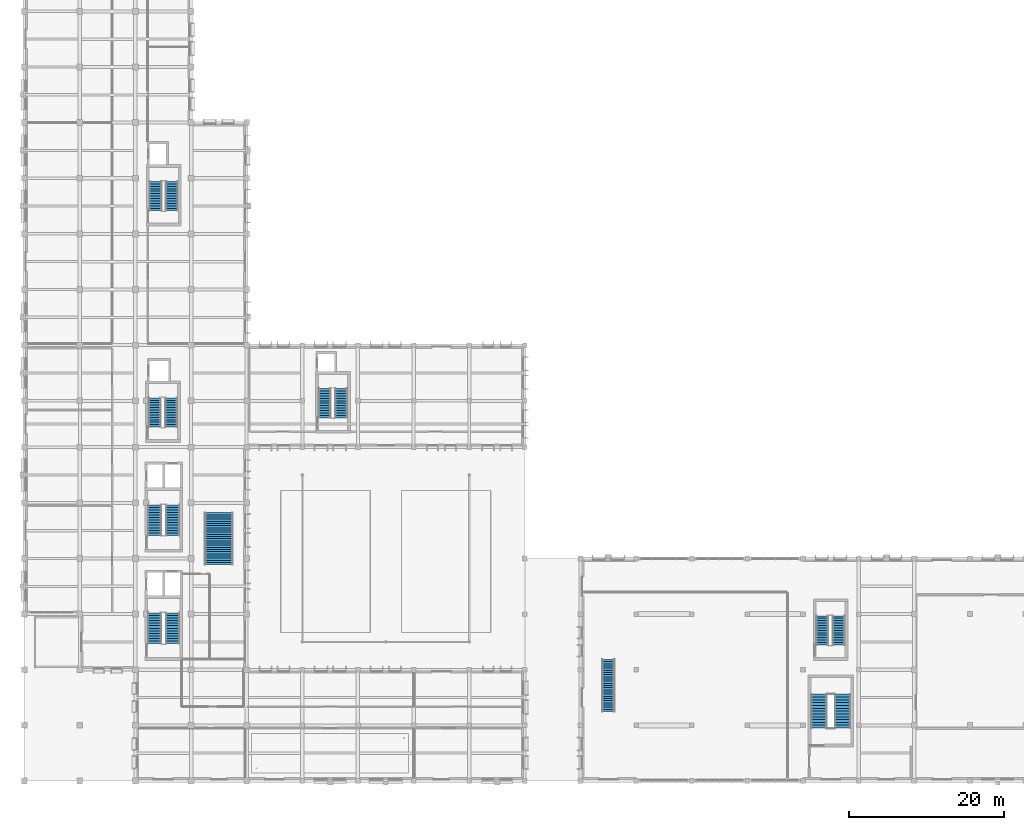
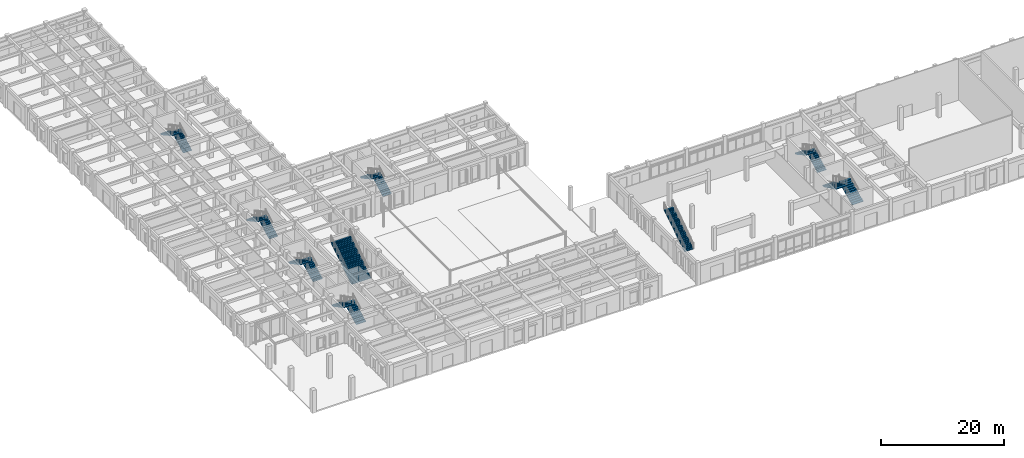
# One storey, part 32 of 43: 16 stair flights, 9 elements without a shape of their own.
"""IFC4 building model written with IfcOpenShell, lengths in metres."""

from ifc_helpers import new_model, si_unit, direction, frame, origin, place, context, subcontext, project, spatial, polyline, outline, extrude, material, type_object, element, aggregate, save


model = new_model("IFC4")

# Units and contexts
model_context = context("Model", 3, precision=1e-05, world=origin(), true_north=direction((0.0, 1.0)))
body_context = subcontext(model_context, "Body", "Model", "MODEL_VIEW")
ifc_project = project(units=[si_unit("LENGTHUNIT", "METRE"), si_unit("AREAUNIT", "SQUARE_METRE"), si_unit("VOLUMEUNIT", "CUBIC_METRE"), si_unit("PLANEANGLEUNIT", "RADIAN"), si_unit("MASSUNIT", "GRAM", prefix="KILO")], contexts=[model_context])

# Site, building, storey
site_placement = place(None, origin())
site = spatial("IfcSite", under=ifc_project, at=site_placement, CompositionType="ELEMENT")
building_placement = place(site_placement, origin())
building = spatial("IfcBuilding", under=site, at=building_placement, Name="Alvorim Cloister Faculty of Sciences", CompositionType="ELEMENT")
storey_placement = place(building_placement, origin())
storey = spatial("IfcBuildingStorey", under=building, at=storey_placement, Name="L00", CompositionType="ELEMENT", Elevation=0.0)

# Stair, stair flight
ifc_material_1 = material(Name="Glulam GL32h", Category="wood")
stair_type_1 = type_object("IfcStairType", Name="STR-MON-ST-07-1700x4500", PredefinedType="STRAIGHT_RUN_STAIR", material=ifc_material_1)
stair_1_placement = place(storey_placement, origin())
stair_1 = element("IfcStair", 1, at=stair_1_placement, inside=storey, type_object=stair_type_1, Name="Atrium Monumental Stair MST-L00-ATR", PredefinedType="STRAIGHT_RUN_STAIR")
stair_flight_type_1 = type_object("IfcStairFlightType", Name="FLT-MON-ST-07-1700x4500", PredefinedType="STRAIGHT", material=ifc_material_1)
stair_flight_1_placement = place(storey_placement, frame((75.60009765625, 9.0, 0.0), z_axis=(0.0, 0.0, 1.0), x_axis=(0.0, 1.0, 0.0)))
stair_flight_1 = element("IfcStairFlight", 2, at=stair_flight_1_placement, type_object=stair_flight_type_1, Name="ST-07 flight 1", NumberOfRisers=25, NumberOfTreads=24, PredefinedType="STRAIGHT", RiserHeight=0.18, TreadLength=0.28, context=body_context, shape_type="SweptSolid", body=[
    extrude(outline(polyline([(0.332763671875, 0.0), (6.719970703125, 4.106201171875), (6.719970703125, 4.5), (6.719970703125, 4.320068359375), (6.43994140625, 4.320068359375), (6.43994140625, 4.139892578125), (6.159912109375, 4.139892578125), (6.159912109375, 3.9599609375), (5.8798828125, 3.9599609375), (5.8798828125, 3.780029296875), (5.60009765625, 3.780029296875), (5.60009765625, 3.60009765625), (5.320068359375, 3.60009765625), (5.320068359375, 3.419921875), (5.0400390625, 3.419921875), (5.0400390625, 3.239990234375), (4.760009765625, 3.239990234375), (4.760009765625, 3.06005859375), (4.47998046875, 3.06005859375), (4.47998046875, 2.8798828125), (4.199951171875, 2.8798828125), (4.199951171875, 2.699951171875), (3.919921875, 2.699951171875), (3.919921875, 2.52001953125), (3.639892578125, 2.52001953125), (3.639892578125, 2.340087890625), (3.360107421875, 2.340087890625), (3.360107421875, 2.159912109375), (3.080078125, 2.159912109375), (3.080078125, 1.97998046875), (2.800048828125, 1.97998046875), (2.800048828125, 1.800048828125), (2.52001953125, 1.800048828125), (2.52001953125, 1.6201171875), (2.239990234375, 1.6201171875), (2.239990234375, 1.43994140625), (1.9599609375, 1.43994140625), (1.9599609375, 1.260009765625), (1.679931640625, 1.260009765625), (1.679931640625, 1.080078125), (1.39990234375, 1.080078125), (1.39990234375, 0.89990234375), (1.1201171875, 0.89990234375), (1.1201171875, 0.719970703125), (0.840087890625, 0.719970703125), (0.840087890625, 0.5400390625), (0.56005859375, 0.5400390625), (0.56005859375, 0.360107421875), (0.280029296875, 0.360107421875), (0.280029296875, 0.179931640625), (0.0, 0.179931640625), (0.0, 0.0), (0.332763671875, 0.0)])), frame((0.0, 0.824951171875, 0.0), z_axis=(0.0, -1.0, 0.0), x_axis=(1.0, 0.0, 0.0)), (0.0, 0.0, 1.0), 1.64990234375),
])
aggregate(stair_1, [stair_flight_1])

stair_type_2 = type_object("IfcStairType", Name="STR-MON-ST-11-1700x4500", PredefinedType="STRAIGHT_RUN_STAIR", material=ifc_material_1)
stair_2_placement = place(storey_placement, origin())
stair_2 = element("IfcStair", 3, at=stair_2_placement, inside=storey, type_object=stair_type_2, Name="Atrium Monumental Stair MST-L00-V5", PredefinedType="STRAIGHT_RUN_STAIR")
stair_flight_type_2 = type_object("IfcStairFlightType", Name="FLT-MON-ST-11-1700x4500", PredefinedType="STRAIGHT", material=ifc_material_1)
stair_flight_2_placement = place(storey_placement, frame((25.199951171875, 28.0, 0.0), z_axis=(0.0, 0.0, 1.0), x_axis=(0.0, 1.0, 0.0)))
stair_flight_2 = element("IfcStairFlight", 4, at=stair_flight_2_placement, type_object=stair_flight_type_2, Name="ST-11 flight 1", NumberOfRisers=25, NumberOfTreads=24, PredefinedType="STRAIGHT", RiserHeight=0.18, TreadLength=0.28, context=body_context, shape_type="SweptSolid", body=[
    extrude(outline(polyline([(0.332763671875, 0.0), (6.719970703125, 4.106201171875), (6.719970703125, 4.5), (6.719970703125, 4.320068359375), (6.43994140625, 4.320068359375), (6.43994140625, 4.139892578125), (6.159912109375, 4.139892578125), (6.159912109375, 3.9599609375), (5.8798828125, 3.9599609375), (5.8798828125, 3.780029296875), (5.60009765625, 3.780029296875), (5.60009765625, 3.60009765625), (5.320068359375, 3.60009765625), (5.320068359375, 3.419921875), (5.0400390625, 3.419921875), (5.0400390625, 3.239990234375), (4.760009765625, 3.239990234375), (4.760009765625, 3.06005859375), (4.47998046875, 3.06005859375), (4.47998046875, 2.8798828125), (4.199951171875, 2.8798828125), (4.199951171875, 2.699951171875), (3.919921875, 2.699951171875), (3.919921875, 2.52001953125), (3.639892578125, 2.52001953125), (3.639892578125, 2.340087890625), (3.360107421875, 2.340087890625), (3.360107421875, 2.159912109375), (3.080078125, 2.159912109375), (3.080078125, 1.97998046875), (2.800048828125, 1.97998046875), (2.800048828125, 1.800048828125), (2.52001953125, 1.800048828125), (2.52001953125, 1.6201171875), (2.239990234375, 1.6201171875), (2.239990234375, 1.43994140625), (1.9599609375, 1.43994140625), (1.9599609375, 1.260009765625), (1.679931640625, 1.260009765625), (1.679931640625, 1.080078125), (1.39990234375, 1.080078125), (1.39990234375, 0.89990234375), (1.1201171875, 0.89990234375), (1.1201171875, 0.719970703125), (0.840087890625, 0.719970703125), (0.840087890625, 0.5400390625), (0.56005859375, 0.5400390625), (0.56005859375, 0.360107421875), (0.280029296875, 0.360107421875), (0.280029296875, 0.179931640625), (0.0, 0.179931640625), (0.0, 0.0), (0.332763671875, 0.0)])), frame((0.0, 1.824951171875, 0.0), z_axis=(0.0, -1.0, 0.0), x_axis=(1.0, 0.0, 0.0)), (0.0, 0.0, 1.0), 3.64990234375),
])
aggregate(stair_2, [stair_flight_2])

# Stair, stair flights
ifc_material_2 = material(Name="Concrete C40", Category="concrete")
stair_type_3 = type_object("IfcStairType", Name="STR-ST-01-1780x4500", PredefinedType="HALF_TURN_STAIR", material=ifc_material_2)
stair_3_placement = place(storey_placement, origin())
stair_3 = element("IfcStair", 5, at=stair_3_placement, inside=storey, type_object=stair_type_3, Name="L00 Enclosed Smoke-Proof Stair ST-01", PredefinedType="HALF_TURN_STAIR")
stair_flight_type_3 = type_object("IfcStairFlightType", Name="FLT-ST-01-1780x2250", PredefinedType="STRAIGHT", material=ifc_material_2)
stair_flight_3_placement = place(storey_placement, frame((19.22998046875, 17.780029296875, 0.0), z_axis=(0.0, 0.0, 1.0), x_axis=(0.0, 1.0, 0.0)))
stair_flight_3 = element("IfcStairFlight", 6, at=stair_flight_3_placement, type_object=stair_flight_type_3, Name="ST-01 flight 1", NumberOfRisers=13, NumberOfTreads=12, PredefinedType="STRAIGHT", RiserHeight=0.173076923, TreadLength=0.33, context=body_context, shape_type="SweptSolid", body=[
    extrude(outline(polyline([(0.34423828125, 0.0), (3.9599609375, 1.896240234375), (3.9599609375, 2.25), (3.9599609375, 2.076904296875), (3.6298828125, 2.076904296875), (3.6298828125, 1.90380859375), (3.300048828125, 1.90380859375), (3.300048828125, 1.730712890625), (2.969970703125, 1.730712890625), (2.969970703125, 1.5576171875), (2.639892578125, 1.5576171875), (2.639892578125, 1.384521484375), (2.31005859375, 1.384521484375), (2.31005859375, 1.21142578125), (1.97998046875, 1.21142578125), (1.97998046875, 1.03857421875), (1.64990234375, 1.03857421875), (1.64990234375, 0.865478515625), (1.320068359375, 0.865478515625), (1.320068359375, 0.6923828125), (0.989990234375, 0.6923828125), (0.989990234375, 0.519287109375), (0.659912109375, 0.519287109375), (0.659912109375, 0.34619140625), (0.330078125, 0.34619140625), (0.330078125, 0.173095703125), (0.0, 0.173095703125), (0.0, 0.0), (0.34423828125, 0.0)])), frame((0.0, 0.89013671875, 0.0), z_axis=(0.0, -1.0, 0.0), x_axis=(1.0, 0.0, 0.0)), (0.0, 0.0, 1.0), 1.780029296875),
])
stair_flight_4_placement = place(storey_placement, frame((16.889892578125, 21.739990234375, 2.25), z_axis=(0.0, 0.0, 1.0), x_axis=(0.0, -1.0, 0.0)))
stair_flight_4 = element("IfcStairFlight", 7, at=stair_flight_4_placement, type_object=stair_flight_type_3, Name="ST-01 flight 2", NumberOfRisers=13, NumberOfTreads=12, PredefinedType="STRAIGHT", RiserHeight=0.173076923, TreadLength=0.33, context=body_context, shape_type="SweptSolid", body=[
    extrude(outline(polyline([(0.34423828125, 0.0), (3.9599609375, 1.896240234375), (3.9599609375, 2.25), (3.9599609375, 2.076904296875), (3.6298828125, 2.076904296875), (3.6298828125, 1.90380859375), (3.300048828125, 1.90380859375), (3.300048828125, 1.730712890625), (2.969970703125, 1.730712890625), (2.969970703125, 1.5576171875), (2.639892578125, 1.5576171875), (2.639892578125, 1.384521484375), (2.31005859375, 1.384521484375), (2.31005859375, 1.21142578125), (1.97998046875, 1.21142578125), (1.97998046875, 1.03857421875), (1.64990234375, 1.03857421875), (1.64990234375, 0.865478515625), (1.320068359375, 0.865478515625), (1.320068359375, 0.6923828125), (0.989990234375, 0.6923828125), (0.989990234375, 0.519287109375), (0.659912109375, 0.519287109375), (0.659912109375, 0.34619140625), (0.330078125, 0.34619140625), (0.330078125, 0.173095703125), (0.0, 0.173095703125), (0.0, 0.0), (0.34423828125, 0.0)])), frame((0.0, 0.89013671875, 0.0), z_axis=(0.0, -1.0, 0.0), x_axis=(1.0, 0.0, 0.0)), (0.0, 0.0, 1.0), 1.780029296875),
])
aggregate(stair_3, [stair_flight_3, stair_flight_4])

stair_type_4 = type_object("IfcStairType", Name="STR-ST-02-1780x4500", PredefinedType="HALF_TURN_STAIR", material=ifc_material_2)
stair_4_placement = place(storey_placement, origin())
stair_4 = element("IfcStair", 8, at=stair_4_placement, inside=storey, type_object=stair_type_4, Name="L00 Enclosed Smoke-Proof Stair ST-02", PredefinedType="HALF_TURN_STAIR")
stair_flight_type_4 = type_object("IfcStairFlightType", Name="FLT-ST-02-1780x2250", PredefinedType="STRAIGHT", material=ifc_material_2)
stair_flight_5_placement = place(storey_placement, frame((19.22998046875, 31.780029296875, 0.0), z_axis=(0.0, 0.0, 1.0), x_axis=(0.0, 1.0, 0.0)))
stair_flight_5 = element("IfcStairFlight", 9, at=stair_flight_5_placement, type_object=stair_flight_type_4, Name="ST-02 flight 1", NumberOfRisers=13, NumberOfTreads=12, PredefinedType="STRAIGHT", RiserHeight=0.173076923, TreadLength=0.33, context=body_context, shape_type="SweptSolid", body=[
    extrude(outline(polyline([(0.34423828125, 0.0), (3.9599609375, 1.896240234375), (3.9599609375, 2.25), (3.9599609375, 2.076904296875), (3.6298828125, 2.076904296875), (3.6298828125, 1.90380859375), (3.300048828125, 1.90380859375), (3.300048828125, 1.730712890625), (2.969970703125, 1.730712890625), (2.969970703125, 1.5576171875), (2.639892578125, 1.5576171875), (2.639892578125, 1.384521484375), (2.31005859375, 1.384521484375), (2.31005859375, 1.21142578125), (1.97998046875, 1.21142578125), (1.97998046875, 1.03857421875), (1.64990234375, 1.03857421875), (1.64990234375, 0.865478515625), (1.320068359375, 0.865478515625), (1.320068359375, 0.6923828125), (0.989990234375, 0.6923828125), (0.989990234375, 0.519287109375), (0.659912109375, 0.519287109375), (0.659912109375, 0.34619140625), (0.330078125, 0.34619140625), (0.330078125, 0.173095703125), (0.0, 0.173095703125), (0.0, 0.0), (0.34423828125, 0.0)])), frame((0.0, 0.89013671875, 0.0), z_axis=(0.0, -1.0, 0.0), x_axis=(1.0, 0.0, 0.0)), (0.0, 0.0, 1.0), 1.780029296875),
])
stair_flight_6_placement = place(storey_placement, frame((16.889892578125, 35.739990234375, 2.25), z_axis=(0.0, 0.0, 1.0), x_axis=(0.0, -1.0, 0.0)))
stair_flight_6 = element("IfcStairFlight", 10, at=stair_flight_6_placement, type_object=stair_flight_type_4, Name="ST-02 flight 2", NumberOfRisers=13, NumberOfTreads=12, PredefinedType="STRAIGHT", RiserHeight=0.173076923, TreadLength=0.33, context=body_context, shape_type="SweptSolid", body=[
    extrude(outline(polyline([(0.34423828125, 0.0), (3.9599609375, 1.896240234375), (3.9599609375, 2.25), (3.9599609375, 2.076904296875), (3.6298828125, 2.076904296875), (3.6298828125, 1.90380859375), (3.300048828125, 1.90380859375), (3.300048828125, 1.730712890625), (2.969970703125, 1.730712890625), (2.969970703125, 1.5576171875), (2.639892578125, 1.5576171875), (2.639892578125, 1.384521484375), (2.31005859375, 1.384521484375), (2.31005859375, 1.21142578125), (1.97998046875, 1.21142578125), (1.97998046875, 1.03857421875), (1.64990234375, 1.03857421875), (1.64990234375, 0.865478515625), (1.320068359375, 0.865478515625), (1.320068359375, 0.6923828125), (0.989990234375, 0.6923828125), (0.989990234375, 0.519287109375), (0.659912109375, 0.519287109375), (0.659912109375, 0.34619140625), (0.330078125, 0.34619140625), (0.330078125, 0.173095703125), (0.0, 0.173095703125), (0.0, 0.0), (0.34423828125, 0.0)])), frame((0.0, 0.89013671875, 0.0), z_axis=(0.0, -1.0, 0.0), x_axis=(1.0, 0.0, 0.0)), (0.0, 0.0, 1.0), 1.780029296875),
])
aggregate(stair_4, [stair_flight_5, stair_flight_6])

stair_type_5 = type_object("IfcStairType", Name="STR-ST-03-1600x4500", PredefinedType="HALF_TURN_STAIR", material=ifc_material_2)
stair_5_placement = place(storey_placement, origin())
stair_5 = element("IfcStair", 11, at=stair_5_placement, inside=storey, type_object=stair_type_5, Name="L00 Enclosed Smoke-Proof Stair ST-03", PredefinedType="HALF_TURN_STAIR")
stair_flight_type_5 = type_object("IfcStairFlightType", Name="FLT-ST-03-1600x2250", PredefinedType="STRAIGHT", material=ifc_material_2)
stair_flight_7_placement = place(storey_placement, frame((19.02001953125, 45.800048828125, 0.0), z_axis=(0.0, 0.0, 1.0), x_axis=(0.0, 1.0, 0.0)))
stair_flight_7 = element("IfcStairFlight", 12, at=stair_flight_7_placement, type_object=stair_flight_type_5, Name="ST-03 flight 1", NumberOfRisers=13, NumberOfTreads=12, PredefinedType="STRAIGHT", RiserHeight=0.173076923, TreadLength=0.315, context=body_context, shape_type="SweptSolid", body=[
    extrude(outline(polyline([(0.33203125, 0.0), (3.780029296875, 1.89453125), (3.780029296875, 2.25), (3.780029296875, 2.076904296875), (3.465087890625, 2.076904296875), (3.465087890625, 1.90380859375), (3.14990234375, 1.90380859375), (3.14990234375, 1.730712890625), (2.8349609375, 1.730712890625), (2.8349609375, 1.5576171875), (2.52001953125, 1.5576171875), (2.52001953125, 1.384521484375), (2.205078125, 1.384521484375), (2.205078125, 1.21142578125), (1.889892578125, 1.21142578125), (1.889892578125, 1.03857421875), (1.574951171875, 1.03857421875), (1.574951171875, 0.865478515625), (1.260009765625, 0.865478515625), (1.260009765625, 0.6923828125), (0.945068359375, 0.6923828125), (0.945068359375, 0.519287109375), (0.6298828125, 0.519287109375), (0.6298828125, 0.34619140625), (0.31494140625, 0.34619140625), (0.31494140625, 0.173095703125), (0.0, 0.173095703125), (0.0, 0.0), (0.33203125, 0.0)])), frame((0.0, 0.800048828125, 0.0), z_axis=(0.0, -1.0, 0.0), x_axis=(1.0, 0.0, 0.0)), (0.0, 0.0, 1.0), 1.60009765625),
])
stair_flight_8_placement = place(storey_placement, frame((16.89990234375, 49.580078125, 2.25), z_axis=(0.0, 0.0, 1.0), x_axis=(0.0, -1.0, 0.0)))
stair_flight_8 = element("IfcStairFlight", 13, at=stair_flight_8_placement, type_object=stair_flight_type_5, Name="ST-03 flight 2", NumberOfRisers=13, NumberOfTreads=12, PredefinedType="STRAIGHT", RiserHeight=0.173076923, TreadLength=0.315, context=body_context, shape_type="SweptSolid", body=[
    extrude(outline(polyline([(0.33203125, 0.0), (3.780029296875, 1.89453125), (3.780029296875, 2.25), (3.780029296875, 2.076904296875), (3.465087890625, 2.076904296875), (3.465087890625, 1.90380859375), (3.14990234375, 1.90380859375), (3.14990234375, 1.730712890625), (2.8349609375, 1.730712890625), (2.8349609375, 1.5576171875), (2.52001953125, 1.5576171875), (2.52001953125, 1.384521484375), (2.205078125, 1.384521484375), (2.205078125, 1.21142578125), (1.889892578125, 1.21142578125), (1.889892578125, 1.03857421875), (1.574951171875, 1.03857421875), (1.574951171875, 0.865478515625), (1.260009765625, 0.865478515625), (1.260009765625, 0.6923828125), (0.945068359375, 0.6923828125), (0.945068359375, 0.519287109375), (0.6298828125, 0.519287109375), (0.6298828125, 0.34619140625), (0.31494140625, 0.34619140625), (0.31494140625, 0.173095703125), (0.0, 0.173095703125), (0.0, 0.0), (0.33203125, 0.0)])), frame((0.0, 0.800048828125, 0.0), z_axis=(0.0, -1.0, 0.0), x_axis=(1.0, 0.0, 0.0)), (0.0, 0.0, 1.0), 1.60009765625),
])
aggregate(stair_5, [stair_flight_7, stair_flight_8])

stair_type_6 = type_object("IfcStairType", Name="STR-ST-04-1600x4500", PredefinedType="HALF_TURN_STAIR", material=ifc_material_2)
stair_6_placement = place(storey_placement, origin())
stair_6 = element("IfcStair", 14, at=stair_6_placement, inside=storey, type_object=stair_type_6, Name="L00 Enclosed Smoke-Proof Stair ST-04", PredefinedType="HALF_TURN_STAIR")
stair_flight_type_6 = type_object("IfcStairFlightType", Name="FLT-ST-04-1600x2250", PredefinedType="STRAIGHT", material=ifc_material_2)
stair_flight_9_placement = place(storey_placement, frame((41.02001953125, 47.0, 0.0), z_axis=(0.0, 0.0, 1.0), x_axis=(0.0, 1.0, 0.0)))
stair_flight_9 = element("IfcStairFlight", 15, at=stair_flight_9_placement, type_object=stair_flight_type_6, Name="ST-04 flight 1", NumberOfRisers=13, NumberOfTreads=12, PredefinedType="STRAIGHT", RiserHeight=0.173076923, TreadLength=0.315, context=body_context, shape_type="SweptSolid", body=[
    extrude(outline(polyline([(0.33203125, 0.0), (3.780029296875, 1.89453125), (3.780029296875, 2.25), (3.780029296875, 2.076904296875), (3.465087890625, 2.076904296875), (3.465087890625, 1.90380859375), (3.14990234375, 1.90380859375), (3.14990234375, 1.730712890625), (2.8349609375, 1.730712890625), (2.8349609375, 1.5576171875), (2.52001953125, 1.5576171875), (2.52001953125, 1.384521484375), (2.205078125, 1.384521484375), (2.205078125, 1.21142578125), (1.889892578125, 1.21142578125), (1.889892578125, 1.03857421875), (1.574951171875, 1.03857421875), (1.574951171875, 0.865478515625), (1.260009765625, 0.865478515625), (1.260009765625, 0.6923828125), (0.945068359375, 0.6923828125), (0.945068359375, 0.519287109375), (0.6298828125, 0.519287109375), (0.6298828125, 0.34619140625), (0.31494140625, 0.34619140625), (0.31494140625, 0.173095703125), (0.0, 0.173095703125), (0.0, 0.0), (0.33203125, 0.0)])), frame((0.0, 0.800048828125, 0.0), z_axis=(0.0, -1.0, 0.0), x_axis=(1.0, 0.0, 0.0)), (0.0, 0.0, 1.0), 1.60009765625),
])
stair_flight_10_placement = place(storey_placement, frame((38.89990234375, 50.780029296875, 2.25), z_axis=(0.0, 0.0, 1.0), x_axis=(0.0, -1.0, 0.0)))
stair_flight_10 = element("IfcStairFlight", 16, at=stair_flight_10_placement, type_object=stair_flight_type_6, Name="ST-04 flight 2", NumberOfRisers=13, NumberOfTreads=12, PredefinedType="STRAIGHT", RiserHeight=0.173076923, TreadLength=0.315, context=body_context, shape_type="SweptSolid", body=[
    extrude(outline(polyline([(0.33203125, 0.0), (3.780029296875, 1.89453125), (3.780029296875, 2.25), (3.780029296875, 2.076904296875), (3.465087890625, 2.076904296875), (3.465087890625, 1.90380859375), (3.14990234375, 1.90380859375), (3.14990234375, 1.730712890625), (2.8349609375, 1.730712890625), (2.8349609375, 1.5576171875), (2.52001953125, 1.5576171875), (2.52001953125, 1.384521484375), (2.205078125, 1.384521484375), (2.205078125, 1.21142578125), (1.889892578125, 1.21142578125), (1.889892578125, 1.03857421875), (1.574951171875, 1.03857421875), (1.574951171875, 0.865478515625), (1.260009765625, 0.865478515625), (1.260009765625, 0.6923828125), (0.945068359375, 0.6923828125), (0.945068359375, 0.519287109375), (0.6298828125, 0.519287109375), (0.6298828125, 0.34619140625), (0.31494140625, 0.34619140625), (0.31494140625, 0.173095703125), (0.0, 0.173095703125), (0.0, 0.0), (0.33203125, 0.0)])), frame((0.0, 0.800048828125, 0.0), z_axis=(0.0, -1.0, 0.0), x_axis=(1.0, 0.0, 0.0)), (0.0, 0.0, 1.0), 1.60009765625),
])
aggregate(stair_6, [stair_flight_9, stair_flight_10])

stair_type_7 = type_object("IfcStairType", Name="STR-ST-05-1600x4500", PredefinedType="HALF_TURN_STAIR", material=ifc_material_2)
stair_7_placement = place(storey_placement, origin())
stair_7 = element("IfcStair", 17, at=stair_7_placement, inside=storey, type_object=stair_type_7, Name="L00 Enclosed Smoke-Proof Stair ST-05", PredefinedType="HALF_TURN_STAIR")
stair_flight_type_7 = type_object("IfcStairFlightType", Name="FLT-ST-05-1600x2250", PredefinedType="STRAIGHT", material=ifc_material_2)
stair_flight_11_placement = place(storey_placement, frame((19.1201171875, 73.800048828125, 0.0), z_axis=(0.0, 0.0, 1.0), x_axis=(0.0, 1.0, 0.0)))
stair_flight_11 = element("IfcStairFlight", 18, at=stair_flight_11_placement, type_object=stair_flight_type_7, Name="ST-05 flight 1", NumberOfRisers=13, NumberOfTreads=12, PredefinedType="STRAIGHT", RiserHeight=0.173076923, TreadLength=0.315, context=body_context, shape_type="SweptSolid", body=[
    extrude(outline(polyline([(0.33203125, 0.0), (3.780029296875, 1.89453125), (3.780029296875, 2.25), (3.780029296875, 2.076904296875), (3.465087890625, 2.076904296875), (3.465087890625, 1.90380859375), (3.14990234375, 1.90380859375), (3.14990234375, 1.730712890625), (2.8349609375, 1.730712890625), (2.8349609375, 1.5576171875), (2.52001953125, 1.5576171875), (2.52001953125, 1.384521484375), (2.205078125, 1.384521484375), (2.205078125, 1.21142578125), (1.889892578125, 1.21142578125), (1.889892578125, 1.03857421875), (1.574951171875, 1.03857421875), (1.574951171875, 0.865478515625), (1.260009765625, 0.865478515625), (1.260009765625, 0.6923828125), (0.945068359375, 0.6923828125), (0.945068359375, 0.519287109375), (0.6298828125, 0.519287109375), (0.6298828125, 0.34619140625), (0.31494140625, 0.34619140625), (0.31494140625, 0.173095703125), (0.0, 0.173095703125), (0.0, 0.0), (0.33203125, 0.0)])), frame((0.0, 0.800048828125, 0.0), z_axis=(0.0, -1.0, 0.0), x_axis=(1.0, 0.0, 0.0)), (0.0, 0.0, 1.0), 1.60009765625),
])
stair_flight_12_placement = place(storey_placement, frame((17.0, 77.580078125, 2.25), z_axis=(0.0, 0.0, 1.0), x_axis=(0.0, -1.0, 0.0)))
stair_flight_12 = element("IfcStairFlight", 19, at=stair_flight_12_placement, type_object=stair_flight_type_7, Name="ST-05 flight 2", NumberOfRisers=13, NumberOfTreads=12, PredefinedType="STRAIGHT", RiserHeight=0.173076923, TreadLength=0.315, context=body_context, shape_type="SweptSolid", body=[
    extrude(outline(polyline([(0.33203125, 0.0), (3.780029296875, 1.89453125), (3.780029296875, 2.25), (3.780029296875, 2.076904296875), (3.465087890625, 2.076904296875), (3.465087890625, 1.90380859375), (3.14990234375, 1.90380859375), (3.14990234375, 1.730712890625), (2.8349609375, 1.730712890625), (2.8349609375, 1.5576171875), (2.52001953125, 1.5576171875), (2.52001953125, 1.384521484375), (2.205078125, 1.384521484375), (2.205078125, 1.21142578125), (1.889892578125, 1.21142578125), (1.889892578125, 1.03857421875), (1.574951171875, 1.03857421875), (1.574951171875, 0.865478515625), (1.260009765625, 0.865478515625), (1.260009765625, 0.6923828125), (0.945068359375, 0.6923828125), (0.945068359375, 0.519287109375), (0.6298828125, 0.519287109375), (0.6298828125, 0.34619140625), (0.31494140625, 0.34619140625), (0.31494140625, 0.173095703125), (0.0, 0.173095703125), (0.0, 0.0), (0.33203125, 0.0)])), frame((0.0, 0.800048828125, 0.0), z_axis=(0.0, -1.0, 0.0), x_axis=(1.0, 0.0, 0.0)), (0.0, 0.0, 1.0), 1.60009765625),
])
aggregate(stair_7, [stair_flight_11, stair_flight_12])

stair_type_8 = type_object("IfcStairType", Name="STR-ST-06-1600x4500", PredefinedType="HALF_TURN_STAIR", material=ifc_material_2)
stair_8_placement = place(storey_placement, origin())
stair_8 = element("IfcStair", 20, at=stair_8_placement, inside=storey, type_object=stair_type_8, Name="L00 Enclosed Smoke-Proof Stair ST-06", PredefinedType="HALF_TURN_STAIR")
stair_flight_type_8 = type_object("IfcStairFlightType", Name="FLT-ST-06-1600x2250", PredefinedType="STRAIGHT", material=ifc_material_2)
stair_flight_13_placement = place(storey_placement, frame((105.419921875, 17.60009765625, 0.0), z_axis=(0.0, 0.0, 1.0), x_axis=(0.0, 1.0, 0.0)))
stair_flight_13 = element("IfcStairFlight", 21, at=stair_flight_13_placement, type_object=stair_flight_type_8, Name="ST-06 flight 1", NumberOfRisers=13, NumberOfTreads=12, PredefinedType="STRAIGHT", RiserHeight=0.173076923, TreadLength=0.315, context=body_context, shape_type="SweptSolid", body=[
    extrude(outline(polyline([(0.33203125, 0.0), (3.780029296875, 1.89453125), (3.780029296875, 2.25), (3.780029296875, 2.076904296875), (3.465087890625, 2.076904296875), (3.465087890625, 1.90380859375), (3.14990234375, 1.90380859375), (3.14990234375, 1.730712890625), (2.8349609375, 1.730712890625), (2.8349609375, 1.5576171875), (2.52001953125, 1.5576171875), (2.52001953125, 1.384521484375), (2.205078125, 1.384521484375), (2.205078125, 1.21142578125), (1.889892578125, 1.21142578125), (1.889892578125, 1.03857421875), (1.574951171875, 1.03857421875), (1.574951171875, 0.865478515625), (1.260009765625, 0.865478515625), (1.260009765625, 0.6923828125), (0.945068359375, 0.6923828125), (0.945068359375, 0.519287109375), (0.6298828125, 0.519287109375), (0.6298828125, 0.34619140625), (0.31494140625, 0.34619140625), (0.31494140625, 0.173095703125), (0.0, 0.173095703125), (0.0, 0.0), (0.33203125, 0.0)])), frame((0.0, 0.800048828125, 0.0), z_axis=(0.0, -1.0, 0.0), x_axis=(1.0, 0.0, 0.0)), (0.0, 0.0, 1.0), 1.60009765625),
])
stair_flight_14_placement = place(storey_placement, frame((103.300048828125, 21.3798828125, 2.25), z_axis=(0.0, 0.0, 1.0), x_axis=(0.0, -1.0, 0.0)))
stair_flight_14 = element("IfcStairFlight", 22, at=stair_flight_14_placement, type_object=stair_flight_type_8, Name="ST-06 flight 2", NumberOfRisers=13, NumberOfTreads=12, PredefinedType="STRAIGHT", RiserHeight=0.173076923, TreadLength=0.315, context=body_context, shape_type="SweptSolid", body=[
    extrude(outline(polyline([(0.33203125, 0.0), (3.780029296875, 1.89453125), (3.780029296875, 2.25), (3.780029296875, 2.076904296875), (3.465087890625, 2.076904296875), (3.465087890625, 1.90380859375), (3.14990234375, 1.90380859375), (3.14990234375, 1.730712890625), (2.8349609375, 1.730712890625), (2.8349609375, 1.5576171875), (2.52001953125, 1.5576171875), (2.52001953125, 1.384521484375), (2.205078125, 1.384521484375), (2.205078125, 1.21142578125), (1.889892578125, 1.21142578125), (1.889892578125, 1.03857421875), (1.574951171875, 1.03857421875), (1.574951171875, 0.865478515625), (1.260009765625, 0.865478515625), (1.260009765625, 0.6923828125), (0.945068359375, 0.6923828125), (0.945068359375, 0.519287109375), (0.6298828125, 0.519287109375), (0.6298828125, 0.34619140625), (0.31494140625, 0.34619140625), (0.31494140625, 0.173095703125), (0.0, 0.173095703125), (0.0, 0.0), (0.33203125, 0.0)])), frame((0.0, 0.800048828125, 0.0), z_axis=(0.0, -1.0, 0.0), x_axis=(1.0, 0.0, 0.0)), (0.0, 0.0, 1.0), 1.60009765625),
])
aggregate(stair_8, [stair_flight_13, stair_flight_14])

stair_type_9 = type_object("IfcStairType", Name="STR-ST-12-2050x4500", PredefinedType="HALF_TURN_STAIR", material=ifc_material_2)
stair_9_placement = place(storey_placement, origin())
stair_9 = element("IfcStair", 23, at=stair_9_placement, inside=storey, type_object=stair_type_9, Name="L00 Enclosed Smoke-Proof Stair ST-12", PredefinedType="HALF_TURN_STAIR")
stair_flight_type_9 = type_object("IfcStairFlightType", Name="FLT-ST-12-2050x2250", PredefinedType="STRAIGHT", material=ifc_material_2)
stair_flight_15_placement = place(storey_placement, frame((105.93505859375, 6.85009765625, 0.0), z_axis=(0.0, 0.0, 1.0), x_axis=(0.0, 1.0, 0.0)))
stair_flight_15 = element("IfcStairFlight", 24, at=stair_flight_15_placement, type_object=stair_flight_type_9, Name="ST-12 flight 1", NumberOfRisers=13, NumberOfTreads=12, PredefinedType="STRAIGHT", RiserHeight=0.173076923, TreadLength=0.365, context=body_context, shape_type="SweptSolid", body=[
    extrude(outline(polyline([(0.373291015625, 0.0), (4.3798828125, 1.89990234375), (4.3798828125, 2.25), (4.3798828125, 2.076904296875), (4.014892578125, 2.076904296875), (4.014892578125, 1.90380859375), (3.64990234375, 1.90380859375), (3.64990234375, 1.730712890625), (3.284912109375, 1.730712890625), (3.284912109375, 1.5576171875), (2.919921875, 1.5576171875), (2.919921875, 1.384521484375), (2.554931640625, 1.384521484375), (2.554931640625, 1.21142578125), (2.18994140625, 1.21142578125), (2.18994140625, 1.03857421875), (1.824951171875, 1.03857421875), (1.824951171875, 0.865478515625), (1.4599609375, 0.865478515625), (1.4599609375, 0.6923828125), (1.094970703125, 0.6923828125), (1.094970703125, 0.519287109375), (0.72998046875, 0.519287109375), (0.72998046875, 0.34619140625), (0.364990234375, 0.34619140625), (0.364990234375, 0.173095703125), (0.0, 0.173095703125), (0.0, 0.0), (0.373291015625, 0.0)])), frame((0.0, 1.02490234375, 0.0), z_axis=(0.0, -1.0, 0.0), x_axis=(1.0, 0.0, 0.0)), (0.0, 0.0, 1.0), 2.050048828125),
])
stair_flight_16_placement = place(storey_placement, frame((102.864990234375, 11.22998046875, 2.25), z_axis=(0.0, 0.0, 1.0), x_axis=(0.0, -1.0, 0.0)))
stair_flight_16 = element("IfcStairFlight", 25, at=stair_flight_16_placement, type_object=stair_flight_type_9, Name="ST-12 flight 2", NumberOfRisers=13, NumberOfTreads=12, PredefinedType="STRAIGHT", RiserHeight=0.173076923, TreadLength=0.365, context=body_context, shape_type="SweptSolid", body=[
    extrude(outline(polyline([(0.373291015625, 0.0), (4.3798828125, 1.89990234375), (4.3798828125, 2.25), (4.3798828125, 2.076904296875), (4.014892578125, 2.076904296875), (4.014892578125, 1.90380859375), (3.64990234375, 1.90380859375), (3.64990234375, 1.730712890625), (3.284912109375, 1.730712890625), (3.284912109375, 1.5576171875), (2.919921875, 1.5576171875), (2.919921875, 1.384521484375), (2.554931640625, 1.384521484375), (2.554931640625, 1.21142578125), (2.18994140625, 1.21142578125), (2.18994140625, 1.03857421875), (1.824951171875, 1.03857421875), (1.824951171875, 0.865478515625), (1.4599609375, 0.865478515625), (1.4599609375, 0.6923828125), (1.094970703125, 0.6923828125), (1.094970703125, 0.519287109375), (0.72998046875, 0.519287109375), (0.72998046875, 0.34619140625), (0.364990234375, 0.34619140625), (0.364990234375, 0.173095703125), (0.0, 0.173095703125), (0.0, 0.0), (0.373291015625, 0.0)])), frame((0.0, 1.02490234375, 0.0), z_axis=(0.0, -1.0, 0.0), x_axis=(1.0, 0.0, 0.0)), (0.0, 0.0, 1.0), 2.050048828125),
])
aggregate(stair_9, [stair_flight_15, stair_flight_16])

save(model, "model.ifc")
